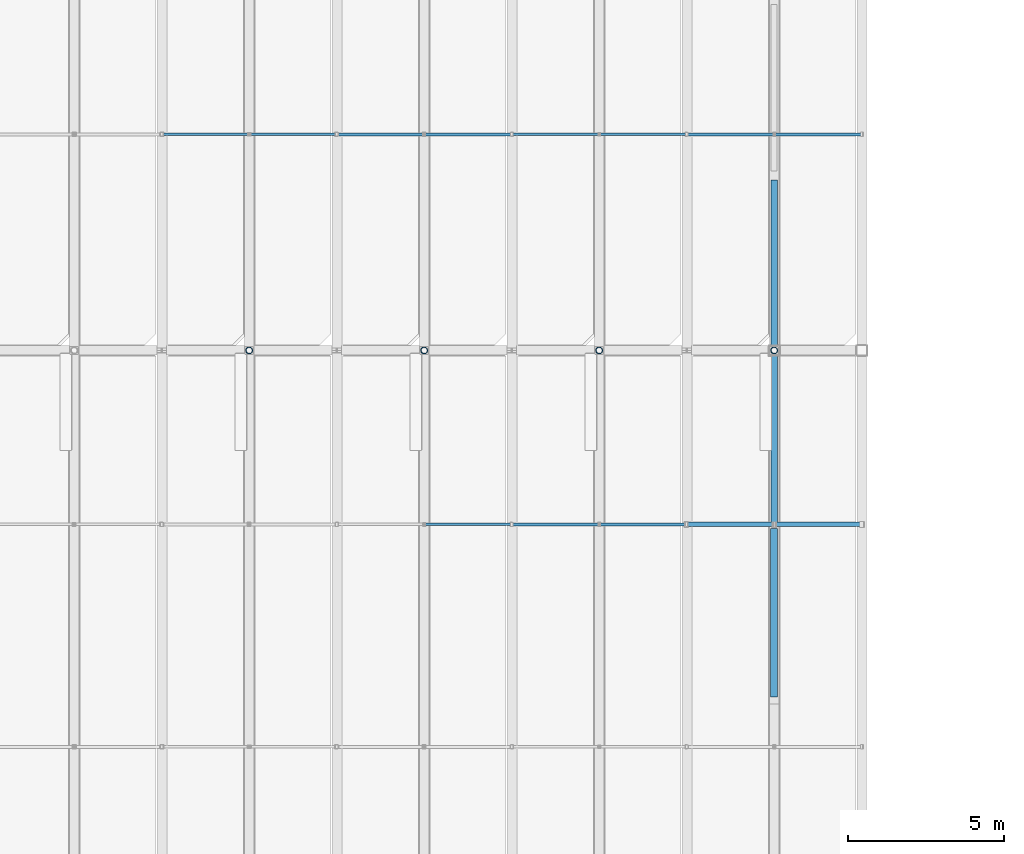
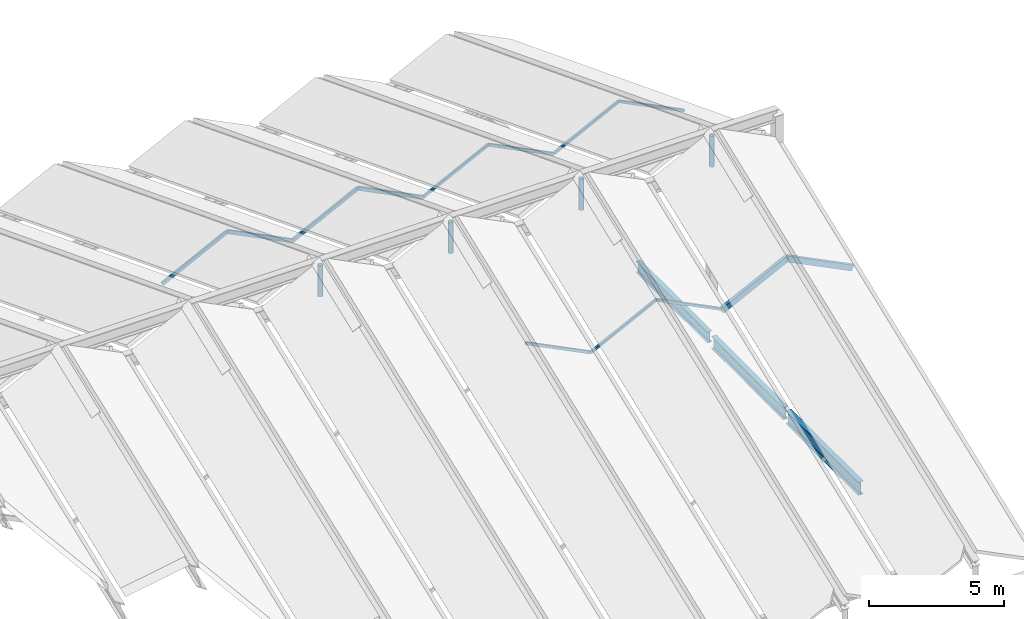
# One storey, part 17 of 49: 17 members, 3 beams.
"""IFC4 building model written with IfcOpenShell, lengths in metres."""

from ifc_helpers import new_model, si_unit, direction, frame, origin, origin_2d, place, context, subcontext, project, spatial, hollow_rectangle, hollow_circle, i_section, extrude, material, material_profile, profile_set, type_object, element, save


model = new_model("IFC4")

# Units and contexts
model_context = context("Model", 3, precision=1e-05, world=origin(), true_north=direction((0.0, 1.0)))
body_context = subcontext(model_context, "Body", "Model", "MODEL_VIEW")
ifc_project = project(units=[si_unit("LENGTHUNIT", "METRE"), si_unit("AREAUNIT", "SQUARE_METRE"), si_unit("VOLUMEUNIT", "CUBIC_METRE"), si_unit("PLANEANGLEUNIT", "RADIAN"), si_unit("MASSUNIT", "GRAM", prefix="KILO")], contexts=[model_context])

# Site, building, storey
site_placement = place(None, origin())
site = spatial("IfcSite", under=ifc_project, at=site_placement, CompositionType="ELEMENT")
building_placement = place(site_placement, origin())
building = spatial("IfcBuilding", under=site, at=building_placement, Name="Vinh Khe Railworks Police Headquarters", CompositionType="ELEMENT")
storey_placement = place(building_placement, frame((0.0, 0.0, 17.10009765625)))
storey = spatial("IfcBuildingStorey", under=building, at=storey_placement, Name="L04", CompositionType="ELEMENT", Elevation=17.10009765625)

# Members
ifc_material = material(Name="Steel S355JR", Category="steel")
ifc_material_profile_1 = material_profile(ifc_material, hollow_rectangle(XDim=0.080078125, YDim=0.1201171875, WallThickness=0.00634765625, at=origin_2d()), Name="RHS 120x80x6.3")
ifc_profile_set_1 = profile_set([ifc_material_profile_1], Name="Steel S355JR")
member_type_1 = type_object("IfcMemberType", Name="Roof Purlin RHS 120x80x6.3", PredefinedType="PURLIN", material=ifc_profile_set_1)
member_1_placement = place(storey_placement, frame((48.800048828125, 36.432861328125, 6.659912109375), z_axis=(0.894442788028, 0.0, -0.447182400083), x_axis=(0.0, 1.0, 0.0)))
element("IfcMember", 1, at=member_1_placement, inside=storey, type_object=member_type_1, Name="Folded Roof Purlin 038", PredefinedType="PURLIN", context=body_context, shape_type="SweptSolid", body=[
    extrude(hollow_rectangle(XDim=0.080078125, YDim=0.1201171875, WallThickness=0.00634765625, at=origin_2d()), origin(), (0.0, 0.0, 1.0), 3.130615234375),
])
member_2_placement = place(storey_placement, frame((51.60009765625, 48.9140625, 4.73779296875), z_axis=(0.894427191, 0.0, 0.4472135955), x_axis=(0.0, 1.0, 0.0)))
element("IfcMember", 2, at=member_2_placement, inside=storey, type_object=member_type_1, Name="Folded Roof Purlin 043", PredefinedType="PURLIN", context=body_context, shape_type="SweptSolid", body=[
    extrude(hollow_rectangle(XDim=0.080078125, YDim=0.1201171875, WallThickness=0.00634765625, at=origin_2d()), origin(), (0.0, 0.0, 1.0), 3.13037109375),
])
member_3_placement = place(storey_placement, frame((54.39990234375, 48.9140625, 6.1376953125), z_axis=(0.894442788028, 0.0, -0.447182400083), x_axis=(0.0, 1.0, 0.0)))
element("IfcMember", 3, at=member_3_placement, inside=storey, type_object=member_type_1, Name="Folded Roof Purlin 047", PredefinedType="PURLIN", context=body_context, shape_type="SweptSolid", body=[
    extrude(hollow_rectangle(XDim=0.080078125, YDim=0.1201171875, WallThickness=0.00634765625, at=origin_2d()), origin(), (0.0, 0.0, 1.0), 3.130615234375),
])
ifc_material_profile_2 = material_profile(ifc_material, hollow_rectangle(XDim=0.10009765625, YDim=0.14990234375, WallThickness=0.008056640625, at=origin_2d()), Name="RHS 150x100x8")
ifc_profile_set_2 = profile_set([ifc_material_profile_2], Name="Steel S355JR")
member_type_2 = type_object("IfcMemberType", Name="Roof Purlin RHS 150x100x8", PredefinedType="PURLIN", material=ifc_profile_set_2)
for number, where, z_axis, x_axis, name in (
    (4, (46.0, 48.9140625, 4.722900390625), (0.894442788028, 0.0, 0.447182400083), (0.0, 1.0, 0.0), "Folded Roof Purlin 035"),
    (5, (48.800048828125, 48.9140625, 6.122802734375), (0.894442788028, 0.0, -0.447182400083), (0.0, 1.0, 0.0), "Folded Roof Purlin 039"),
):
    element("IfcMember", number, at=place(storey_placement, frame(where, z_axis=z_axis, x_axis=x_axis)), inside=storey, type_object=member_type_2, Name=name, PredefinedType="PURLIN", context=body_context, shape_type="SweptSolid", body=[
        extrude(hollow_rectangle(XDim=0.10009765625, YDim=0.14990234375, WallThickness=0.008056640625, at=origin_2d()), origin(), (0.0, 0.0, 1.0), 3.130615234375),
    ])
ifc_material_profile_3 = material_profile(ifc_material, hollow_rectangle(XDim=0.080078125, YDim=0.159912109375, WallThickness=0.008056640625, at=origin_2d()), Name="RHS 160x80x8")
ifc_profile_set_3 = profile_set([ifc_material_profile_3], Name="Steel S355JR")
member_type_3 = type_object("IfcMemberType", Name="Roof Purlin RHS 160x80x8", PredefinedType="PURLIN", material=ifc_profile_set_3)
for number, where, z_axis, x_axis, name in (
    (6, (40.39990234375, 48.9140625, 4.7177734375), (0.894442788028, 0.0, 0.447182400083), (0.0, 1.0, 0.0), "Folded Roof Purlin 027"),
    (7, (43.199951171875, 48.9140625, 6.11767578125), (0.894442788028, 0.0, -0.447182400083), (0.0, 1.0, 0.0), "Folded Roof Purlin 031"),
):
    element("IfcMember", number, at=place(storey_placement, frame(where, z_axis=z_axis, x_axis=x_axis)), inside=storey, type_object=member_type_3, Name=name, PredefinedType="PURLIN", context=body_context, shape_type="SweptSolid", body=[
        extrude(hollow_rectangle(XDim=0.080078125, YDim=0.159912109375, WallThickness=0.008056640625, at=origin_2d()), origin(), (0.0, 0.0, 1.0), 3.130615234375),
    ])
ifc_material_profile_4 = material_profile(ifc_material, hollow_rectangle(XDim=0.14990234375, YDim=0.25, WallThickness=0.010009765625, at=origin_2d()), Name="RHS 250x150x10")
ifc_profile_set_4 = profile_set([ifc_material_profile_4], Name="Steel S355JR")
member_type_4 = type_object("IfcMemberType", Name="Roof Purlin RHS 250x150x10", PredefinedType="PURLIN", material=ifc_profile_set_4)
for number, where, z_axis, x_axis, name in (
    (8, (57.199951171875, 36.432861328125, 5.195068359375), (0.894442788028, 0.0, 0.447182400083), (0.0, 1.0, 0.0), "Folded Roof Purlin 050"),
    (9, (60.0, 36.432861328125, 6.594970703125), (0.894442788028, 0.0, -0.447182400083), (0.0, 1.0, 0.0), "Folded Roof Purlin 054"),
):
    element("IfcMember", number, at=place(storey_placement, frame(where, z_axis=z_axis, x_axis=x_axis)), inside=storey, type_object=member_type_4, Name=name, PredefinedType="PURLIN", context=body_context, shape_type="SweptSolid", body=[
        extrude(hollow_rectangle(XDim=0.14990234375, YDim=0.25, WallThickness=0.010009765625, at=origin_2d()), origin(), (0.0, 0.0, 1.0), 3.130615234375),
    ])
ifc_material_profile_5 = material_profile(ifc_material, hollow_rectangle(XDim=0.10009765625, YDim=0.10009765625, WallThickness=0.00634765625, at=origin_2d()), Name="SHS 100x100x6.3")
ifc_profile_set_5 = profile_set([ifc_material_profile_5], Name="Steel S355JR")
member_type_5 = type_object("IfcMemberType", Name="Roof Purlin SHS 100x100x6.3", PredefinedType="PURLIN", material=ifc_profile_set_5)
member_4_placement = place(storey_placement, frame((51.60009765625, 36.432861328125, 5.27001953125), z_axis=(0.894427191, 0.0, 0.4472135955), x_axis=(0.0, 1.0, 0.0)))
element("IfcMember", 10, at=member_4_placement, inside=storey, type_object=member_type_5, Name="Folded Roof Purlin 042", PredefinedType="PURLIN", context=body_context, shape_type="SweptSolid", body=[
    extrude(hollow_rectangle(XDim=0.10009765625, YDim=0.10009765625, WallThickness=0.00634765625, at=origin_2d()), origin(), (0.0, 0.0, 1.0), 3.13037109375),
])
for number, where, z_axis, x_axis, name in (
    (11, (54.39990234375, 36.432861328125, 6.669921875), (0.894442788028, 0.0, -0.447182400083), (0.0, 1.0, 0.0), "Folded Roof Purlin 046"),
    (12, (57.199951171875, 48.9140625, 4.747802734375), (0.894442788028, 0.0, 0.447182400083), (0.0, 1.0, 0.0), "Folded Roof Purlin 051"),
    (13, (60.0, 48.9140625, 6.147705078125), (0.894442788028, 0.0, -0.447182400083), (0.0, 1.0, 0.0), "Folded Roof Purlin 055"),
):
    element("IfcMember", number, at=place(storey_placement, frame(where, z_axis=z_axis, x_axis=x_axis)), inside=storey, type_object=member_type_5, Name=name, PredefinedType="PURLIN", context=body_context, shape_type="SweptSolid", body=[
        extrude(hollow_rectangle(XDim=0.10009765625, YDim=0.10009765625, WallThickness=0.00634765625, at=origin_2d()), origin(), (0.0, 0.0, 1.0), 3.130615234375),
    ])
ifc_material_profile_6 = material_profile(ifc_material, hollow_circle(Radius=0.109619140625, WallThickness=0.012451171875, at=origin_2d()), Name="CHS 219.1x12.5")
ifc_profile_set_6 = profile_set([ifc_material_profile_6], Name="Steel S355JR")
member_type_6 = type_object("IfcMemberType", Name="Roof Strut CHS 219.1x12.5", PredefinedType="STRUT", material=ifc_profile_set_6)
for number, where, z_axis, x_axis, name in (
    (14, (43.199951171875, 42.0, 7.40869140625), (0.0, 0.0, 1.0), (1.0, 0.0, 0.0), "Folded Roof Strut 4M"),
    (15, (48.800048828125, 42.0, 7.40869140625), (0.0, 0.0, 1.0), (1.0, 0.0, 0.0), "Folded Roof Strut 5M"),
    (16, (54.39990234375, 42.0, 7.40869140625), (0.0, 0.0, 1.0), (1.0, 0.0, 0.0), "Folded Roof Strut 6M"),
    (17, (60.0, 42.0, 7.40869140625), (0.0, 0.0, 1.0), (1.0, 0.0, 0.0), "Folded Roof Strut 7M"),
):
    element("IfcMember", number, at=place(storey_placement, frame(where, z_axis=z_axis, x_axis=x_axis)), inside=storey, type_object=member_type_6, Name=name, PredefinedType="STRUT", context=body_context, shape_type="SweptSolid", body=[
        extrude(hollow_circle(Radius=0.109619140625, WallThickness=0.012451171875, at=origin_2d()), origin(), (0.0, 0.0, 1.0), 1.400146484375),
    ])

# Beams
ifc_material_profile_7 = material_profile(ifc_material, i_section(OverallWidth=0.199951171875, OverallDepth=0.5, WebThickness=0.01025390625, FlangeThickness=0.01611328125, FilletRadius=0.02099609375, at=origin_2d()), Name="IPE 500")
ifc_profile_set_7 = profile_set([ifc_material_profile_7], Name="Steel S355JR")
beam_type_1 = type_object("IfcBeamType", Name="Steel Girder IPE 500", PredefinedType="BEAM", material=ifc_profile_set_7)
beam_1_placement = place(storey_placement, frame((60.0, 42.155029296875, -0.4501953125), z_axis=(0.0, 1.0, 0.0), x_axis=(-1.0, 0.0, 0.0)))
element("IfcBeam", 18, at=beam_1_placement, inside=storey, type_object=beam_type_1, Name="Girder BM-L04-NS-SB-19-1445", PredefinedType="BEAM", context=body_context, shape_type="SweptSolid", body=[
    extrude(i_section(OverallWidth=0.199951171875, OverallDepth=0.5, WebThickness=0.01025390625, FlangeThickness=0.01611328125, FilletRadius=0.02099609375, at=origin_2d()), origin(), (0.0, 0.0, 1.0), 5.300048828125),
])
ifc_material_profile_8 = material_profile(ifc_material, i_section(OverallWidth=0.2099609375, OverallDepth=0.550048828125, WebThickness=0.010986328125, FlangeThickness=0.01708984375, FilletRadius=0.02392578125, at=origin_2d()), Name="IPE 550")
ifc_profile_set_8 = profile_set([ifc_material_profile_8], Name="Steel S355JR")
beam_type_2 = type_object("IfcBeamType", Name="Steel Girder IPE 550", PredefinedType="BEAM", material=ifc_profile_set_8)
beam_2_placement = place(storey_placement, frame((60.0, 36.4951171875, -0.47509765625), z_axis=(0.0, 1.0, 0.0), x_axis=(-1.0, 0.0, 0.0)))
element("IfcBeam", 19, at=beam_2_placement, inside=storey, type_object=beam_type_2, Name="Girder BM-L04-NS-SB-18-1444", PredefinedType="BEAM", context=body_context, shape_type="SweptSolid", body=[
    extrude(i_section(OverallWidth=0.2099609375, OverallDepth=0.550048828125, WebThickness=0.010986328125, FlangeThickness=0.01708984375, FilletRadius=0.02392578125, at=origin_2d()), origin(), (0.0, 0.0, 1.0), 5.349853515625),
])
ifc_material_profile_9 = material_profile(ifc_material, i_section(OverallWidth=0.219970703125, OverallDepth=0.60009765625, WebThickness=0.011962890625, FlangeThickness=0.01904296875, FilletRadius=0.02392578125, at=origin_2d()), Name="IPE 600")
ifc_profile_set_9 = profile_set([ifc_material_profile_9], Name="Steel S355JR")
beam_type_3 = type_object("IfcBeamType", Name="Steel Girder IPE 600", PredefinedType="BEAM", material=ifc_profile_set_9)
beam_3_placement = place(storey_placement, frame((60.0, 30.9150390625, -0.5), z_axis=(0.0, 1.0, 0.0), x_axis=(-1.0, 0.0, 0.0)))
element("IfcBeam", 20, at=beam_3_placement, inside=storey, type_object=beam_type_3, Name="Girder BM-L04-NS-SB-17-1443", PredefinedType="BEAM", context=body_context, shape_type="SweptSolid", body=[
    extrude(i_section(OverallWidth=0.219970703125, OverallDepth=0.60009765625, WebThickness=0.011962890625, FlangeThickness=0.01904296875, FilletRadius=0.02392578125, at=origin_2d()), origin(), (0.0, 0.0, 1.0), 5.389892578125),
])

save(model, "model.ifc")
